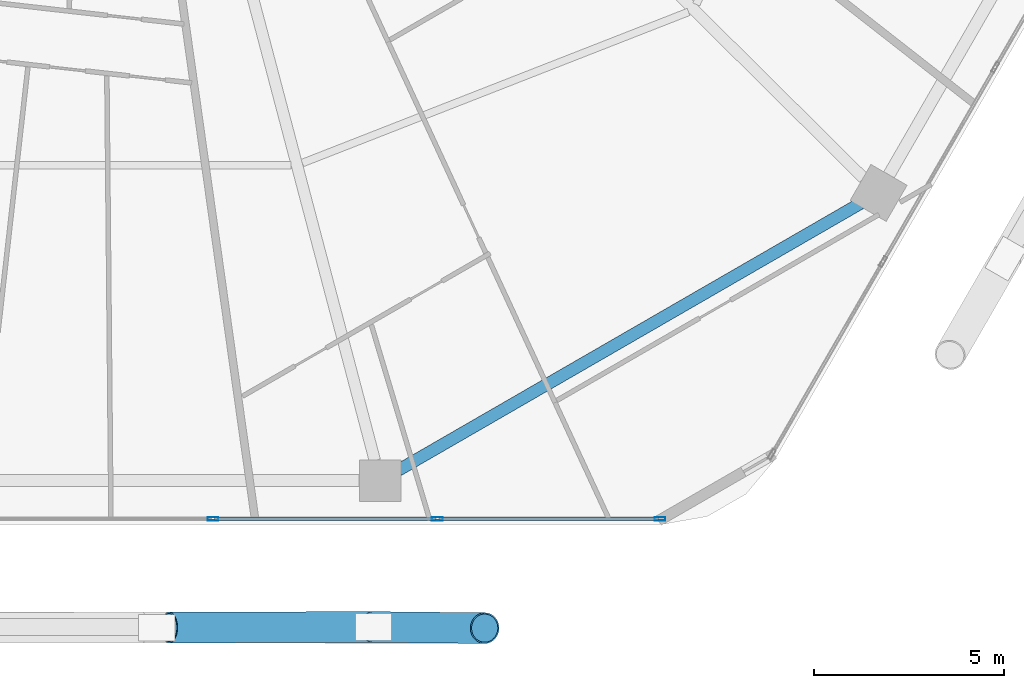
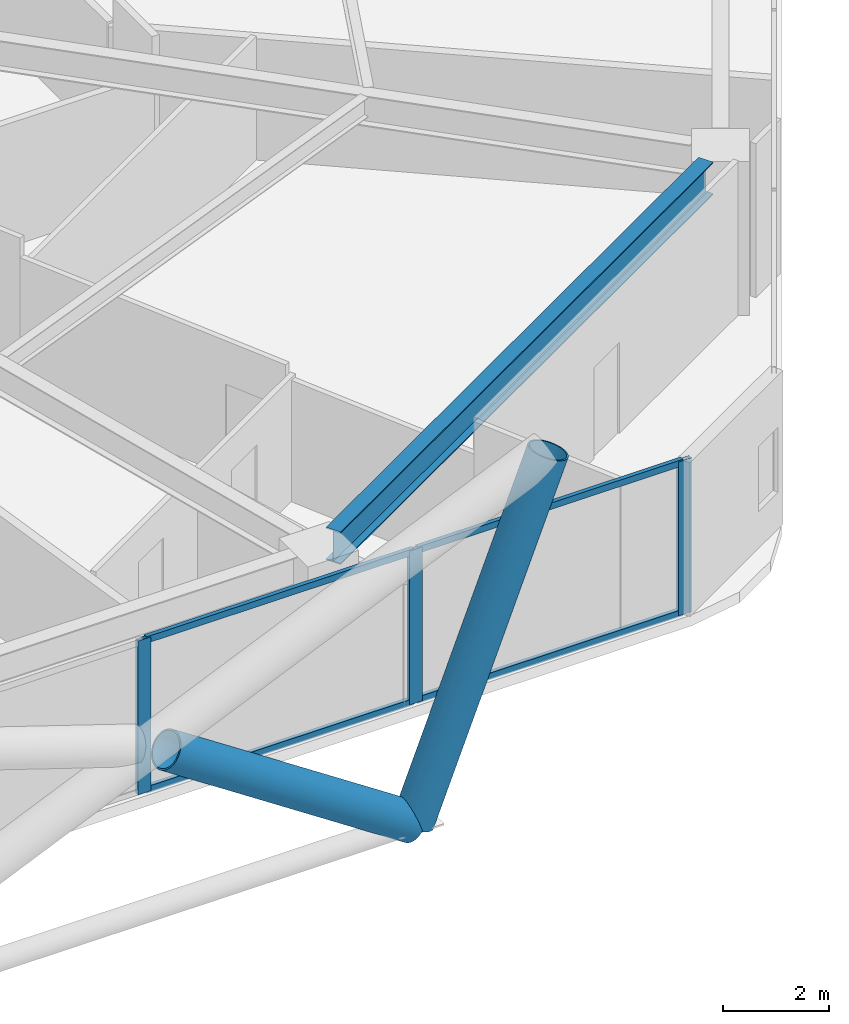
# One storey, part 7 of 34: 9 members, 1 beam, 1 element without a shape of its own.
"""IFC4 building model written with IfcOpenShell, lengths in metres."""

import ifcopenshell
import ifcopenshell.guid

model = None  # the IFC model being written
_history = None  # IfcOwnerHistory: only IFC2X3 demands one
_inside = {}  # id of a spatial element -> (the spatial element, [elements in it])
_under = {}  # id of a project, library or spatial element -> (it, [spatial elements below it])
_declared = {}  # id of a project -> (the project, [libraries it declares])
_typed = {}  # id of a type object -> (the type object, [elements of that type])
_made_of = {}  # id of a material, layer set ... -> (it, [elements and type objects made of it])


def new_model(schema):
    """Start an empty IFC model of exactly this schema.

    Asked for "IFC4X3", IfcOpenShell would pick the latest addendum, in which some entities
    have other attributes; the version numbers below select the first issue.
    IFC2X3 requires an IfcOwnerHistory on every rooted entity: one is made here for all.
    """
    global model, _history
    if schema == "IFC4X3":
        model = ifcopenshell.file(schema_version=(4, 3, 0, 0))
    else:
        model = ifcopenshell.file(schema=schema)
    _inside.clear()
    _under.clear()
    _declared.clear()
    _typed.clear()
    _made_of.clear()
    _history = None
    if model.schema == "IFC2X3":
        org = make("IfcOrganization", Name="unknown")
        user = make(
            "IfcPersonAndOrganization",
            ThePerson=make("IfcPerson", FamilyName="unknown"),
            TheOrganization=org,
        )
        app = make(
            "IfcApplication",
            ApplicationDeveloper=org,
            Version="unknown",
            ApplicationFullName="unknown",
            ApplicationIdentifier="unknown",
        )
        _history = make(
            "IfcOwnerHistory",
            OwningUser=user,
            OwningApplication=app,
            ChangeAction="ADDED",
            CreationDate=0,
        )
    return model


def make(cls, **values):
    """One entity of the class cls with the attributes given. An attribute that is None is left unset."""
    return model.create_entity(
        cls, **{name: value for name, value in values.items() if value is not None}
    )


def rooted(cls, **values):
    """An entity with a GlobalId (a new one), such as an element, a storey or a relation."""
    return make(cls, GlobalId=ifcopenshell.guid.new(), OwnerHistory=_history, **values)


def si_unit(unit_type, name, prefix=None):
    """IfcSIUnit, for example si_unit("LENGTHUNIT", "METRE", prefix="MILLI")."""
    return make("IfcSIUnit", UnitType=unit_type, Prefix=prefix, Name=name)


def assignment(units):
    """IfcUnitAssignment: the units of a project."""
    return None if units is None else make("IfcUnitAssignment", Units=units)


def point(xyz):
    """IfcCartesianPoint."""
    return None if xyz is None else make("IfcCartesianPoint", Coordinates=xyz)


def direction(xyz):
    """IfcDirection."""
    return None if xyz is None else make("IfcDirection", DirectionRatios=xyz)


def frame(location, z_axis=None, x_axis=None):
    """IfcAxis2Placement3D, a coordinate frame: its origin and axes. An axis left out is left unset."""
    return make(
        "IfcAxis2Placement3D",
        Location=point(location),
        Axis=direction(z_axis),
        RefDirection=direction(x_axis),
    )


def frame_2d(location, x_axis=None):
    """IfcAxis2Placement2D, a coordinate frame in the plane: its origin and x axis."""
    return make(
        "IfcAxis2Placement2D", Location=point(location), RefDirection=direction(x_axis)
    )


def origin():
    """The frame at (0, 0, 0) with its axes left unset."""
    return frame((0.0, 0.0, 0.0))


def origin_2d():
    """The frame at (0, 0) in the plane with its x axis left unset."""
    return frame_2d((0.0, 0.0))


def place(relative_to, where):
    """IfcLocalPlacement: puts the frame where relative to a parent placement (None: the world)."""
    return make(
        "IfcLocalPlacement", PlacementRelTo=relative_to, RelativePlacement=where
    )


def context(
    kind, dimensions, precision=None, world=None, true_north=None, identifier=None
):
    """IfcGeometricRepresentationContext, for example the 3D "Model" context."""
    return make(
        "IfcGeometricRepresentationContext",
        ContextIdentifier=identifier,
        ContextType=kind,
        CoordinateSpaceDimension=dimensions,
        Precision=precision,
        WorldCoordinateSystem=world,
        TrueNorth=true_north,
    )


def subcontext(parent, identifier, kind, view, scale=None):
    """IfcGeometricRepresentationSubContext, for example "Body" below "Model"."""
    return make(
        "IfcGeometricRepresentationSubContext",
        ContextIdentifier=identifier,
        ContextType=kind,
        ParentContext=parent,
        TargetScale=scale,
        TargetView=view,
    )


def project(units=None, contexts=None):
    """IfcProject with its units and contexts."""
    return rooted(
        "IfcProject",
        Name="project",
        RepresentationContexts=contexts,
        UnitsInContext=assignment(units),
    )


def spatial(cls, under=None, at=None, **own):
    """A site, building, storey or space (cls), placed at a placement, below another one or the project."""
    s = rooted(cls, ObjectPlacement=at, **own)
    if under is not None:
        _under.setdefault(under.id(), (under, []))[1].append(s)
    return s


def profile(cls, at=None, kind="AREA", **sizes):
    """A parametric profile (cls). Its sizes go by their IFC names, for example OverallWidth=200.0."""
    return make(cls, ProfileType=kind, Position=at, **sizes)


def hollow_rectangle(**sizes):
    """IfcRectangleHollowProfileDef."""
    return profile("IfcRectangleHollowProfileDef", **sizes)


def hollow_circle(**sizes):
    """IfcCircleHollowProfileDef."""
    return profile("IfcCircleHollowProfileDef", **sizes)


def i_section(**sizes):
    """IfcIShapeProfileDef."""
    return profile("IfcIShapeProfileDef", **sizes)


def extrude(swept, where, along, depth):
    """IfcExtrudedAreaSolid: the profile swept, set in the frame where, extruded along a direction by depth."""
    return make(
        "IfcExtrudedAreaSolid",
        SweptArea=swept,
        Position=where,
        ExtrudedDirection=direction(along),
        Depth=depth,
    )


def shape(context_of_items, identifier, shape_type, items):
    """IfcShapeRepresentation: the items that make up one representation, for example the "Body"."""
    return make(
        "IfcShapeRepresentation",
        ContextOfItems=context_of_items,
        RepresentationIdentifier=identifier,
        RepresentationType=shape_type,
        Items=items,
    )


def material(Name=None, Category=None):
    """IfcMaterial."""
    return make("IfcMaterial", Name=Name, Category=Category)


def material_profile(
    of_material, cross_section, Name=None, Category=None, Priority=None
):
    """IfcMaterialProfile: a cross section and its material."""
    return make(
        "IfcMaterialProfile",
        Name=Name,
        Material=of_material,
        Profile=cross_section,
        Priority=Priority,
        Category=Category,
    )


def profile_set(profiles, Name=None, composite=None):
    """IfcMaterialProfileSet."""
    return make(
        "IfcMaterialProfileSet",
        Name=Name,
        MaterialProfiles=profiles,
        CompositeProfile=composite,
    )


def made_of(thing, what):
    """Note that an element or type object is made of a material, layer set ...; save() writes the relation."""
    if what is not None:
        _made_of.setdefault(what.id(), (what, []))[1].append(thing)
    return thing


def type_object(cls, material=None, **own):
    """A type object (cls), such as IfcWallType, which elements share."""
    return made_of(rooted(cls, **own), material)


def element(
    cls,
    number,
    at=None,
    inside=None,
    cuts=None,
    type_object=None,
    material=None,
    context=None,
    identifier="Body",
    shape_type=None,
    held_by="IfcProductDefinitionShape",
    body=None,
    shapes=None,
    **own,
):
    """One element of the class cls, such as IfcWall. Its Tag is "e" and its number.

    at: its placement. inside: the storey or other place that contains it. cuts: it is an
    opening in that element (IfcRelVoidsElement). A single representation is given by context,
    identifier, shape_type and body (its items); several are given by shapes. held_by: the class
    of the entity that holds the representations. save() writes the other relations.
    """
    e = rooted(cls, Tag="e%d" % number, ObjectPlacement=at, **own)
    if body is not None:
        shapes = [shape(context, identifier, shape_type, body)]
    if shapes is not None:
        e.Representation = make(held_by, Representations=shapes)
    if inside is not None:
        _inside.setdefault(inside.id(), (inside, []))[1].append(e)
    if cuts is not None:
        rooted(
            "IfcRelVoidsElement", RelatingBuildingElement=cuts, RelatedOpeningElement=e
        )
    if type_object is not None:
        _typed.setdefault(type_object.id(), (type_object, []))[1].append(e)
    return made_of(e, material)


def aggregate(whole, parts):
    """IfcRelAggregates: a whole, such as a stair, and the parts it consists of."""
    return rooted("IfcRelAggregates", RelatingObject=whole, RelatedObjects=parts)


def save(model, path):
    """Write the relations noted so far, then the file.

    IfcRelAggregates (storeys below a building ...), IfcRelContainedInSpatialStructure (elements
    in a storey), IfcRelDefinesByType, IfcRelAssociatesMaterial and IfcRelDeclares: one each for
    every whole, place, type object, material and project.
    """
    for whole, parts in _under.values():
        aggregate(whole, parts)
    for where, things in _inside.values():
        rooted(
            "IfcRelContainedInSpatialStructure",
            RelatedElements=things,
            RelatingStructure=where,
        )
    for kind, things in _typed.values():
        rooted("IfcRelDefinesByType", RelatedObjects=things, RelatingType=kind)
    for what, things in _made_of.values():
        rooted("IfcRelAssociatesMaterial", RelatedObjects=things, RelatingMaterial=what)
    for by, libraries in _declared.values():
        rooted("IfcRelDeclares", RelatingContext=by, RelatedDefinitions=libraries)
    model.write(path)


model = new_model("IFC4")

# Units and contexts
model_context = context("Model", 3, precision=1e-05, world=origin(), true_north=direction((0.0, 1.0)))
body_context = subcontext(model_context, "Body", "Model", "MODEL_VIEW")
ifc_project = project(units=[si_unit("LENGTHUNIT", "METRE"), si_unit("AREAUNIT", "SQUARE_METRE"), si_unit("VOLUMEUNIT", "CUBIC_METRE"), si_unit("PLANEANGLEUNIT", "RADIAN"), si_unit("MASSUNIT", "GRAM", prefix="KILO")], contexts=[model_context])

# Site, building, storey
site_placement = place(None, origin())
site = spatial("IfcSite", under=ifc_project, at=site_placement, CompositionType="ELEMENT")
building_placement = place(site_placement, origin())
building = spatial("IfcBuilding", under=site, at=building_placement, Name="Zuhravey Tower", CompositionType="ELEMENT")
storey_placement = place(building_placement, frame((0.0, 0.0, 100.0)))
storey = spatial("IfcBuildingStorey", under=building, at=storey_placement, Name="L24", CompositionType="ELEMENT", Elevation=100.0)

# Curtain wall, members
ifc_material_1 = material(Name="Thermally broken anodised aluminium", Category="aluminium")
curtain_wall_type = type_object("IfcCurtainWallType", Name="Zone 1-2 Residential Curtain Wall CW3", PredefinedType="NOTDEFINED", material=ifc_material_1)
curtain_wall_placement = place(storey_placement, origin())
curtain_wall = element("IfcCurtainWall", 1, at=curtain_wall_placement, inside=storey, type_object=curtain_wall_type, Name="L24 CW3 CW-L24-F5-1", PredefinedType="NOTDEFINED")
ifc_material_2 = material(Name="Anodised aluminium", Category="aluminium")
ifc_material_profile_1 = material_profile(ifc_material_2, hollow_rectangle(XDim=0.090087890625, YDim=0.284912109375, WallThickness=0.0048828125, at=origin_2d()), Name="ALU-RHS-90x285x5")
ifc_profile_set_1 = profile_set([ifc_material_profile_1], Name="Anodised aluminium")
member_type_1 = type_object("IfcMemberType", Name="Curtain-Wall Mullion 90x180", PredefinedType="MULLION", material=ifc_profile_set_1)
member_1_placement = place(storey_placement, frame((50.75439453125, 3.04150390625, 0.0), z_axis=(0.0, 0.0, 1.0), x_axis=(0.0, -1.0, 0.0)))
member_1 = element("IfcMember", 2, at=member_1_placement, type_object=member_type_1, Name="CW3 mullion 1", PredefinedType="MULLION", context=body_context, shape_type="SweptSolid", body=[
    extrude(hollow_rectangle(XDim=0.090087890625, YDim=0.284912109375, WallThickness=0.0048828125, at=origin_2d()), origin(), (0.0, 0.0, 1.0), 3.550048828125),
])
member_2_placement = place(storey_placement, frame((44.879638671875, 3.04150390625, 0.0), z_axis=(0.0, 0.0, 1.0), x_axis=(0.0, -1.0, 0.0)))
member_2 = element("IfcMember", 3, at=member_2_placement, type_object=member_type_1, Name="CW3 mullion 2", PredefinedType="MULLION", context=body_context, shape_type="SweptSolid", body=[
    extrude(hollow_rectangle(XDim=0.090087890625, YDim=0.284912109375, WallThickness=0.0048828125, at=origin_2d()), origin(), (0.0, 0.0, 1.0), 3.550048828125),
])
member_3_placement = place(storey_placement, frame((38.9599609375, 3.04150390625, 0.0), z_axis=(0.0, 0.0, 1.0), x_axis=(0.0, -1.0, 0.0)))
member_3 = element("IfcMember", 4, at=member_3_placement, type_object=member_type_1, Name="CW3 mullion 3", PredefinedType="MULLION", context=body_context, shape_type="SweptSolid", body=[
    extrude(hollow_rectangle(XDim=0.090087890625, YDim=0.284912109375, WallThickness=0.0048828125, at=origin_2d()), origin(), (0.0, 0.0, 1.0), 3.550048828125),
])
ifc_material_profile_2 = material_profile(ifc_material_2, hollow_rectangle(XDim=0.090087890625, YDim=0.14990234375, WallThickness=0.0048828125, at=origin_2d()), Name="ALU-RHS-90x150x5")
ifc_profile_set_2 = profile_set([ifc_material_profile_2], Name="Anodised aluminium")
member_type_2 = type_object("IfcMemberType", Name="Curtain-Wall Transom 90x150", PredefinedType="USERDEFINED", material=ifc_profile_set_2)
member_4_placement = place(storey_placement, frame((50.70947265625, 3.04150390625, 0.044921875), z_axis=(-1.0, 0.0, 0.0), x_axis=(0.0, -1.0, 0.0)))
member_4 = element("IfcMember", 5, at=member_4_placement, type_object=member_type_2, Name="CW3 transom 1.1", ObjectType="TRANSOM", PredefinedType="USERDEFINED", context=body_context, shape_type="SweptSolid", body=[
    extrude(hollow_rectangle(XDim=0.090087890625, YDim=0.14990234375, WallThickness=0.0048828125, at=origin_2d()), origin(), (0.0, 0.0, 1.0), 5.78466796875),
])
member_5_placement = place(storey_placement, frame((50.70947265625, 3.04150390625, 3.5048828125), z_axis=(-1.0, 0.0, 0.0), x_axis=(0.0, -1.0, 0.0)))
member_5 = element("IfcMember", 6, at=member_5_placement, type_object=member_type_2, Name="CW3 transom 1.2", ObjectType="TRANSOM", PredefinedType="USERDEFINED", context=body_context, shape_type="SweptSolid", body=[
    extrude(hollow_rectangle(XDim=0.090087890625, YDim=0.14990234375, WallThickness=0.0048828125, at=origin_2d()), origin(), (0.0, 0.0, 1.0), 5.78466796875),
])
member_6_placement = place(storey_placement, frame((44.834716796875, 3.04150390625, 0.044921875), z_axis=(-1.0, 0.0, 0.0), x_axis=(0.0, -1.0, 0.0)))
member_6 = element("IfcMember", 7, at=member_6_placement, type_object=member_type_2, Name="CW3 transom 2.1", ObjectType="TRANSOM", PredefinedType="USERDEFINED", context=body_context, shape_type="SweptSolid", body=[
    extrude(hollow_rectangle(XDim=0.090087890625, YDim=0.14990234375, WallThickness=0.0048828125, at=origin_2d()), origin(), (0.0, 0.0, 1.0), 5.829833984375),
])
member_7_placement = place(storey_placement, frame((44.834716796875, 3.04150390625, 3.5048828125), z_axis=(-1.0, 0.0, 0.0), x_axis=(0.0, -1.0, 0.0)))
member_7 = element("IfcMember", 8, at=member_7_placement, type_object=member_type_2, Name="CW3 transom 2.2", ObjectType="TRANSOM", PredefinedType="USERDEFINED", context=body_context, shape_type="SweptSolid", body=[
    extrude(hollow_rectangle(XDim=0.090087890625, YDim=0.14990234375, WallThickness=0.0048828125, at=origin_2d()), origin(), (0.0, 0.0, 1.0), 5.829833984375),
])
aggregate(curtain_wall, [member_1, member_2, member_3, member_4, member_5, member_6, member_7])

# Members
ifc_material_3 = material(Name="Steel SM460", Category="steel")
ifc_material_profile_3 = material_profile(ifc_material_3, hollow_circle(Radius=0.406494140625, WallThickness=0.035888671875, at=origin_2d()), Name="CHS-812.8x36")
ifc_profile_set_3 = profile_set([ifc_material_profile_3], Name="Steel SM460")
member_type_3 = type_object("IfcMemberType", Name="Exoskeleton Zone 1 Diagrid CHS813x36", PredefinedType="BRACE", material=ifc_profile_set_3)
member_8_placement = place(storey_placement, frame((43.202392578125, 0.19140625, -0.44189453125), z_axis=(0.36108971675, -0.003675980094, 0.932523835421), x_axis=(0.010179712835, 0.999948185381, 0.0)))
element("IfcMember", 9, at=member_8_placement, inside=storey, type_object=member_type_3, Name="L24 Face 5 Diagrid Brace 4", PredefinedType="BRACE", context=body_context, shape_type="SweptSolid", body=[
    extrude(hollow_circle(Radius=0.406494140625, WallThickness=0.035888671875, at=origin_2d()), origin(), (0.0, 0.0, 1.0), 8.1025390625),
])
member_9_placement = place(storey_placement, frame((43.148193359375, 0.19140625, -0.43359375), z_axis=(-0.833053584113, -0.002168320667, 0.55318805517), x_axis=(0.002602849761, -0.999996612581, 0.0)))
element("IfcMember", 10, at=member_9_placement, inside=storey, type_object=member_type_3, Name="L24 Face 5 Split Diagrid Brace 3A", PredefinedType="BRACE", context=body_context, shape_type="SweptSolid", body=[
    extrude(hollow_circle(Radius=0.406494140625, WallThickness=0.035888671875, at=origin_2d()), origin(), (0.0, 0.0, 1.0), 6.41796875),
])

# Beam
ifc_material_4 = material(Name="Steel SM355", Category="steel")
ifc_material_profile_4 = material_profile(ifc_material_4, i_section(OverallWidth=0.320068359375, OverallDepth=0.75, WebThickness=0.013916015625, FlangeThickness=0.02490234375, at=origin_2d()), Name="H-750x320x14x25")
ifc_profile_set_4 = profile_set([ifc_material_profile_4], Name="Steel SM355")
beam_type = type_object("IfcBeamType", Name="Perimeter Ring Beam H750x320", PredefinedType="BEAM", material=ifc_profile_set_4)
beam_placement = place(storey_placement, frame((43.848876953125, 4.327880859375, 3.175048828125), z_axis=(0.866017786538, 0.500013193225, 0.0), x_axis=(-0.500013193225, 0.866017786538, 0.0)))
element("IfcBeam", 11, at=beam_placement, inside=storey, type_object=beam_type, Name="L24 PB1 BM-L24-PB-10", PredefinedType="BEAM", context=body_context, shape_type="SweptSolid", body=[
    extrude(i_section(OverallWidth=0.320068359375, OverallDepth=0.75, WebThickness=0.013916015625, FlangeThickness=0.02490234375, at=origin_2d()), origin(), (0.0, 0.0, 1.0), 14.0771484375),
])

save(model, "model.ifc")
